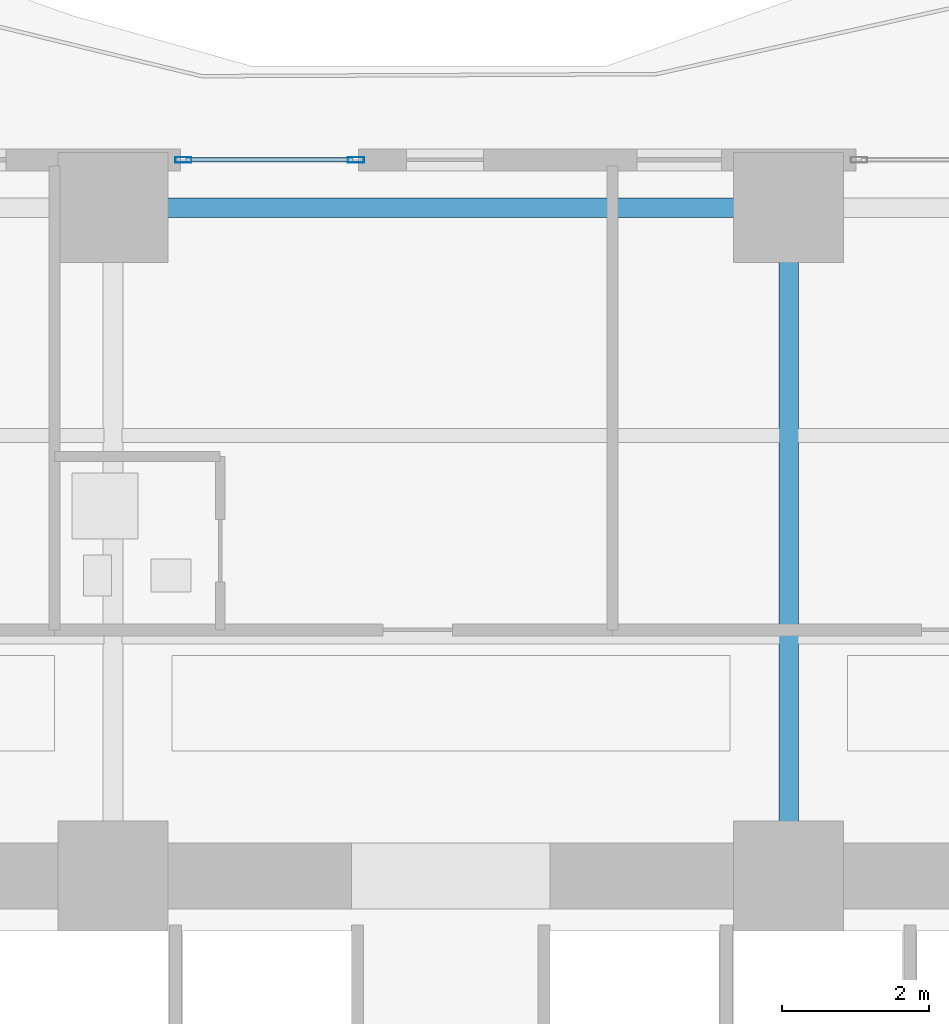
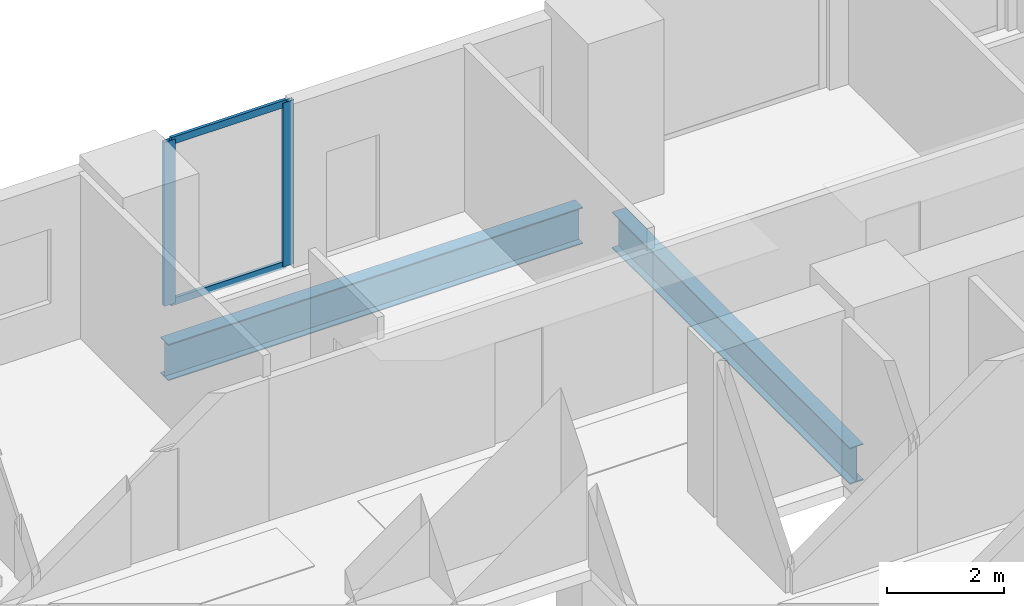
# One storey, part 15 of 28: 4 members, 2 beams, 1 element without a shape of its own.
"""IFC4 building model written with IfcOpenShell, lengths in metres."""

from ifc_helpers import new_model, si_unit, direction, frame, origin, origin_2d, place, context, subcontext, project, spatial, hollow_rectangle, i_section, extrude, material, layer, layer_set, material_profile, profile_set, type_object, element, aggregate, save


model = new_model("IFC4")

# Units and contexts
model_context = context("Model", 3, precision=1e-05, world=origin(), true_north=direction((0.0, 1.0)))
body_context = subcontext(model_context, "Body", "Model", "MODEL_VIEW")
ifc_project = project(units=[si_unit("LENGTHUNIT", "METRE"), si_unit("AREAUNIT", "SQUARE_METRE"), si_unit("VOLUMEUNIT", "CUBIC_METRE"), si_unit("PLANEANGLEUNIT", "RADIAN"), si_unit("MASSUNIT", "GRAM", prefix="KILO")], contexts=[model_context])

# Site, building, storey
site_placement = place(None, origin())
site = spatial("IfcSite", under=ifc_project, at=site_placement, CompositionType="ELEMENT")
building_placement = place(site_placement, origin())
building = spatial("IfcBuilding", under=site, at=building_placement, Name="Zuhayl Quay Hotel", CompositionType="ELEMENT")
storey_placement = place(building_placement, frame((0.0, 0.0, 53.14990234375)))
storey = spatial("IfcBuildingStorey", under=building, at=storey_placement, Name="L12", CompositionType="ELEMENT", Elevation=53.14990234375)

# Beams
ifc_material_1 = material(Name="Steel ASTM A992 Grade 50", Category="steel")
ifc_material_profile_1 = material_profile(ifc_material_1, i_section(OverallWidth=0.26708984375, OverallDepth=0.761962890625, WebThickness=0.014404296875, FlangeThickness=0.021484375, at=origin_2d()), Name="W30X116")
ifc_profile_set_1 = profile_set([ifc_material_profile_1], Name="Steel ASTM A992 Grade 50")
beam_type = type_object("IfcBeamType", Name="BM_B1_W30X116", PredefinedType="BEAM", material=ifc_profile_set_1)
beam_1_placement = place(storey_placement, frame((4.10009765625, 22.449951171875, -0.600830078125), z_axis=(-1.0, 0.0, 0.0), x_axis=(0.0, -1.0, 0.0)))
element("IfcBeam", 1, at=beam_1_placement, inside=storey, type_object=beam_type, Name="L12 Floor Beam RG_L12_08", PredefinedType="BEAM", context=body_context, shape_type="SweptSolid", body=[
    extrude(i_section(OverallWidth=0.26708984375, OverallDepth=0.761962890625, WebThickness=0.014404296875, FlangeThickness=0.021484375, at=origin_2d()), origin(), (0.0, 0.0, 1.0), 8.2001953125),
])
beam_2_placement = place(storey_placement, frame((4.60009765625, 13.800048828125, -0.600830078125), z_axis=(0.0, 1.0, 0.0), x_axis=(-1.0, 0.0, 0.0)))
element("IfcBeam", 2, at=beam_2_placement, inside=storey, type_object=beam_type, Name="L12 Floor Beam FG_N_L12_3", PredefinedType="BEAM", context=body_context, shape_type="SweptSolid", body=[
    extrude(i_section(OverallWidth=0.26708984375, OverallDepth=0.761962890625, WebThickness=0.014404296875, FlangeThickness=0.021484375, at=origin_2d()), origin(), (0.0, 0.0, 1.0), 8.14990234375),
])

# Curtain wall, members
ifc_material_2 = material(Name="Anodised Aluminium 6063-T6", Category="aluminium")
ifc_layer = layer(ifc_material_2, 0.18994140625, Name="Anodised Aluminium 6063-T6", Category="aluminium")
ifc_layer_set = layer_set([ifc_layer], Name="Anodised Aluminium 6063-T6")
curtain_wall_type = type_object("IfcCurtainWallType", Name="CW_SYS_Z1", PredefinedType="USERDEFINED", material=ifc_layer_set)
curtain_wall_placement = place(storey_placement, origin())
curtain_wall = element("IfcCurtainWall", 3, at=curtain_wall_placement, inside=storey, type_object=curtain_wall_type, Name="L12 Curtain Wall ENV_L12_N_CW2", ObjectType="UNITISED CURTAIN WALL", PredefinedType="USERDEFINED")
ifc_material_3 = material(Name="Black-anodised aluminium 6063-T6", Category="aluminium")
ifc_material_profile_2 = material_profile(ifc_material_3, hollow_rectangle(XDim=0.074951171875, YDim=0.219970703125, WallThickness=0.00390625, at=origin_2d()), Name="ALU220X75")
ifc_profile_set_2 = profile_set([ifc_material_profile_2], Name="Black-anodised aluminium 6063-T6")
member_type_1 = type_object("IfcMemberType", Name="MB_CW_MUL_220", PredefinedType="MULLION", material=ifc_profile_set_2)
member_1_placement = place(storey_placement, frame((-3.642578125, 23.10009765625, 0.0), z_axis=(0.0, 0.0, 1.0), x_axis=(0.0, 1.0, 0.0)))
member_1 = element("IfcMember", 4, at=member_1_placement, type_object=member_type_1, Name="CW-Z1 mullion 1", PredefinedType="MULLION", context=body_context, shape_type="SweptSolid", body=[
    extrude(hollow_rectangle(XDim=0.074951171875, YDim=0.219970703125, WallThickness=0.00390625, at=origin_2d()), origin(), (0.0, 0.0, 1.0), 3.43017578125),
])
member_2_placement = place(storey_placement, frame((-1.29248046875, 23.10009765625, 0.0), z_axis=(0.0, 0.0, 1.0), x_axis=(0.0, 1.0, 0.0)))
member_2 = element("IfcMember", 5, at=member_2_placement, type_object=member_type_1, Name="CW-Z1 mullion 2", PredefinedType="MULLION", context=body_context, shape_type="SweptSolid", body=[
    extrude(hollow_rectangle(XDim=0.074951171875, YDim=0.219970703125, WallThickness=0.00390625, at=origin_2d()), origin(), (0.0, 0.0, 1.0), 3.43017578125),
])
ifc_material_profile_3 = material_profile(ifc_material_3, hollow_rectangle(XDim=0.06005859375, YDim=0.14990234375, WallThickness=0.00341796875, at=origin_2d()), Name="ALU150X60")
ifc_profile_set_3 = profile_set([ifc_material_profile_3], Name="Black-anodised aluminium 6063-T6")
member_type_2 = type_object("IfcMemberType", Name="MB_CW_TRN_150", PredefinedType="USERDEFINED", material=ifc_profile_set_3)
member_3_placement = place(storey_placement, frame((-3.60498046875, 23.10009765625, 0.030029296875), z_axis=(1.0, 0.0, 0.0), x_axis=(0.0, 1.0, 0.0)))
member_3 = element("IfcMember", 6, at=member_3_placement, type_object=member_type_2, Name="CW-Z1 transom 1.1", ObjectType="TRANSOM", PredefinedType="USERDEFINED", context=body_context, shape_type="SweptSolid", body=[
    extrude(hollow_rectangle(XDim=0.06005859375, YDim=0.14990234375, WallThickness=0.00341796875, at=origin_2d()), origin(), (0.0, 0.0, 1.0), 2.27490234375),
])
member_4_placement = place(storey_placement, frame((-3.60498046875, 23.10009765625, 3.400146484375), z_axis=(1.0, 0.0, 0.0), x_axis=(0.0, 1.0, 0.0)))
member_4 = element("IfcMember", 7, at=member_4_placement, type_object=member_type_2, Name="CW-Z1 transom 1.2", ObjectType="TRANSOM", PredefinedType="USERDEFINED", context=body_context, shape_type="SweptSolid", body=[
    extrude(hollow_rectangle(XDim=0.06005859375, YDim=0.14990234375, WallThickness=0.00341796875, at=origin_2d()), origin(), (0.0, 0.0, 1.0), 2.27490234375),
])
aggregate(curtain_wall, [member_1, member_2, member_3, member_4])

save(model, "model.ifc")
